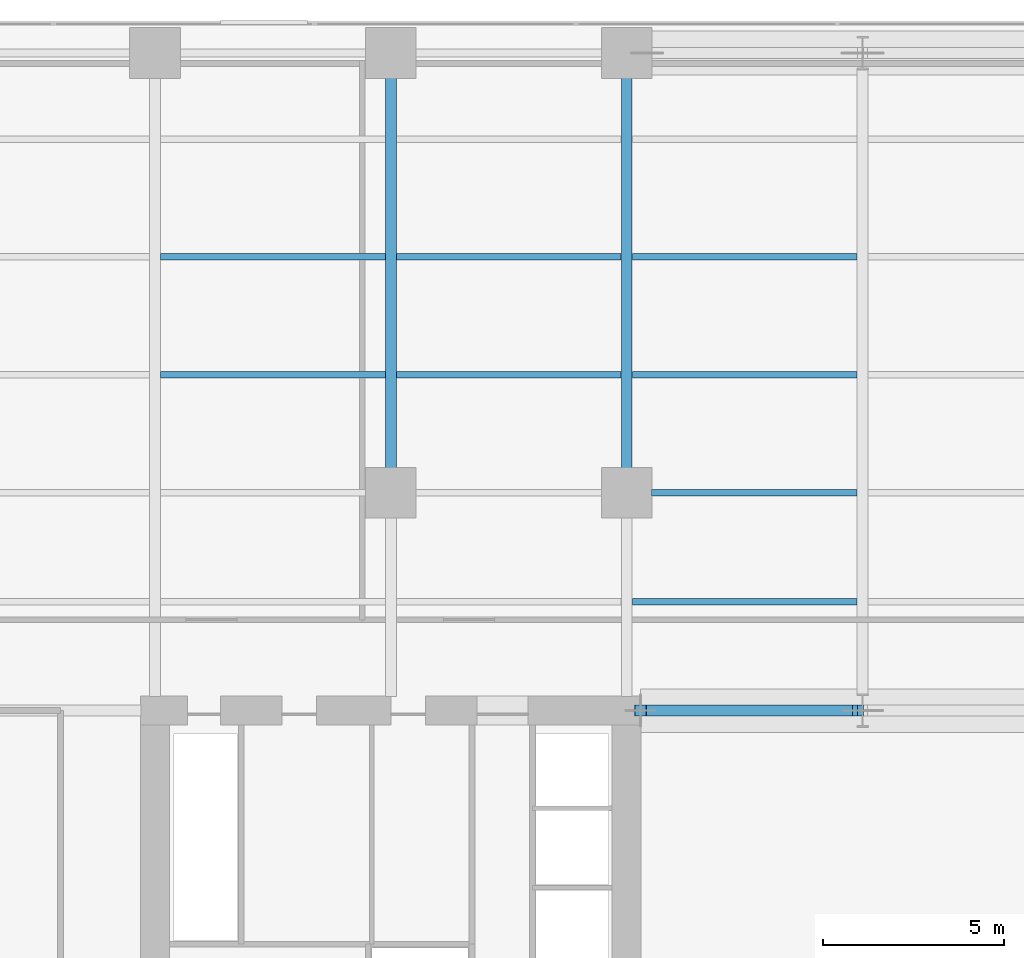
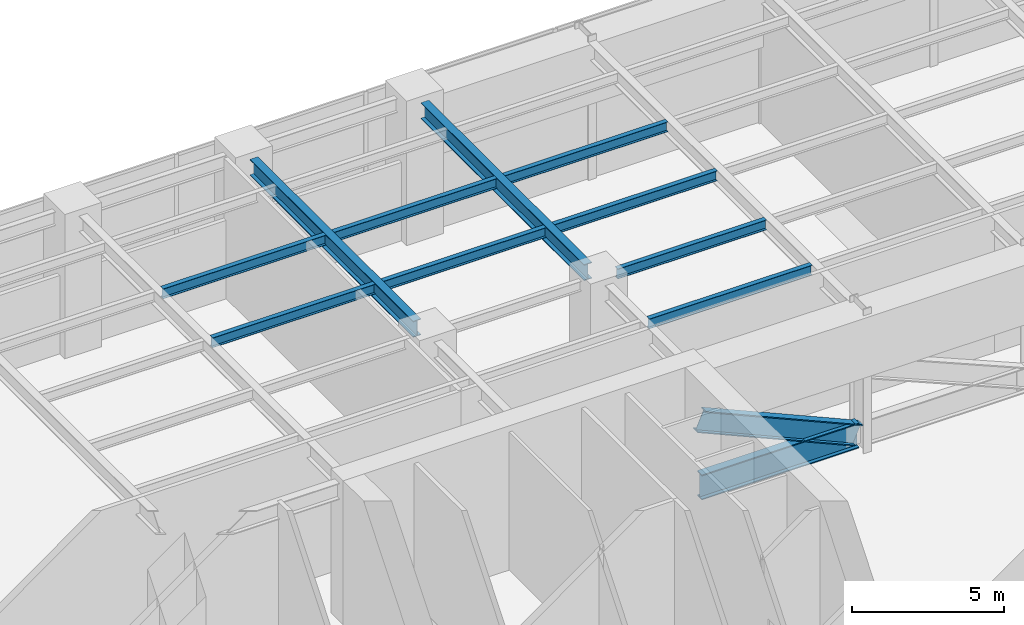
# One storey, part 10 of 25: 11 beams, 1 member.
"""IFC4 building model written with IfcOpenShell, lengths in metres."""

from ifc_helpers import new_model, si_unit, direction, frame, origin, origin_2d, place, context, subcontext, project, spatial, i_section, extrude, material, material_profile, profile_set, type_object, element, save


model = new_model("IFC4")

# Units and contexts
model_context = context("Model", 3, precision=1e-05, world=origin(), true_north=direction((0.0, 1.0)))
body_context = subcontext(model_context, "Body", "Model", "MODEL_VIEW")
ifc_project = project(units=[si_unit("LENGTHUNIT", "METRE"), si_unit("AREAUNIT", "SQUARE_METRE"), si_unit("VOLUMEUNIT", "CUBIC_METRE"), si_unit("PLANEANGLEUNIT", "RADIAN"), si_unit("MASSUNIT", "GRAM", prefix="KILO")], contexts=[model_context])

# Site, building, storey
site_placement = place(None, origin())
site = spatial("IfcSite", under=ifc_project, at=site_placement, CompositionType="ELEMENT")
building_placement = place(site_placement, origin())
building = spatial("IfcBuilding", under=site, at=building_placement, Name="Putna Gate Headquarters", CompositionType="ELEMENT")
storey_placement = place(building_placement, frame((0.0, 0.0, 22.0)))
storey = spatial("IfcBuildingStorey", under=building, at=storey_placement, Name="L04", CompositionType="ELEMENT", Elevation=22.0)

# Beams
ifc_material_1 = material(Name="Steel S355J2", Category="steel")
ifc_material_profile_1 = material_profile(ifc_material_1, i_section(OverallWidth=0.300048828125, OverallDepth=0.64990234375, WebThickness=0.01611328125, FlangeThickness=0.031005859375, at=origin_2d()), Name="Steel S355J2")
ifc_profile_set_1 = profile_set([ifc_material_profile_1], Name="Steel S355J2")
beam_type_1 = type_object("IfcBeamType", Name="BM-GIRD-Z1-HEB650", PredefinedType="USERDEFINED", material=ifc_profile_set_1)
for number, where, z_axis, x_axis, name in (
    (1, (19.5, 39.68798828125, 5.22509765625), (0.0, 1.0, 0.0), (-1.0, 0.0, 0.0), "L04 North Primary Girder X19-2"),
    (2, (26.0, 39.68798828125, 5.22509765625), (0.0, 1.0, 0.0), (-1.0, 0.0, 0.0), "L04 North Primary Girder X26-2"),
):
    element("IfcBeam", number, at=place(storey_placement, frame(where, z_axis=z_axis, x_axis=x_axis)), inside=storey, type_object=beam_type_1, Name=name, ObjectType="GIRDER", PredefinedType="USERDEFINED", context=body_context, shape_type="SweptSolid", body=[
        extrude(i_section(OverallWidth=0.300048828125, OverallDepth=0.64990234375, WebThickness=0.01611328125, FlangeThickness=0.031005859375, at=origin_2d()), origin(), (0.0, 0.0, 1.0), 10.743896484375),
    ])
ifc_material_profile_2 = material_profile(ifc_material_1, i_section(OverallWidth=0.179931640625, OverallDepth=0.39990234375, WebThickness=0.008544921875, FlangeThickness=0.013427734375, at=origin_2d()), Name="Steel S355J2")
ifc_profile_set_2 = profile_set([ifc_material_profile_2], Name="Steel S355J2")
beam_type_2 = type_object("IfcBeamType", Name="BM-SEC-Z1-IPE400", PredefinedType="BEAM", material=ifc_profile_set_2)
for number, where, z_axis, x_axis, name in (
    (3, (13.154052734375, 42.25, 5.35009765625), (1.0, 0.0, 0.0), (0.0, 1.0, 0.0), "L04 North Secondary Beam 2"),
    (4, (13.154052734375, 45.5, 5.35009765625), (1.0, 0.0, 0.0), (0.0, 1.0, 0.0), "L04 North Secondary Beam 2"),
    (5, (19.654052734375, 42.25, 5.35009765625), (1.0, 0.0, 0.0), (0.0, 1.0, 0.0), "L04 North Secondary Beam 3"),
    (6, (19.654052734375, 45.5, 5.35009765625), (1.0, 0.0, 0.0), (0.0, 1.0, 0.0), "L04 North Secondary Beam 3"),
    (7, (26.154052734375, 36.0, 5.35009765625), (1.0, 0.0, 0.0), (0.0, 1.0, 0.0), "L04 North Secondary Beam 4"),
):
    element("IfcBeam", number, at=place(storey_placement, frame(where, z_axis=z_axis, x_axis=x_axis)), inside=storey, type_object=beam_type_2, Name=name, PredefinedType="BEAM", context=body_context, shape_type="SweptSolid", body=[
        extrude(i_section(OverallWidth=0.179931640625, OverallDepth=0.39990234375, WebThickness=0.008544921875, FlangeThickness=0.013427734375, at=origin_2d()), origin(), (0.0, 0.0, 1.0), 6.19189453125),
    ])
beam_1_placement = place(storey_placement, frame((26.68798828125, 39.0, 5.35009765625), z_axis=(1.0, 0.0, 0.0), x_axis=(0.0, 1.0, 0.0)))
element("IfcBeam", 8, at=beam_1_placement, inside=storey, type_object=beam_type_2, Name="L04 North Secondary Beam 4", PredefinedType="BEAM", context=body_context, shape_type="SweptSolid", body=[
    extrude(i_section(OverallWidth=0.179931640625, OverallDepth=0.39990234375, WebThickness=0.008544921875, FlangeThickness=0.013427734375, at=origin_2d()), origin(), (0.0, 0.0, 1.0), 5.657958984375),
])
for number, where, z_axis, x_axis, name in (
    (9, (26.154052734375, 42.25, 5.35009765625), (1.0, 0.0, 0.0), (0.0, 1.0, 0.0), "L04 North Secondary Beam 4"),
    (10, (26.154052734375, 45.5, 5.35009765625), (1.0, 0.0, 0.0), (0.0, 1.0, 0.0), "L04 North Secondary Beam 4"),
):
    element("IfcBeam", number, at=place(storey_placement, frame(where, z_axis=z_axis, x_axis=x_axis)), inside=storey, type_object=beam_type_2, Name=name, PredefinedType="BEAM", context=body_context, shape_type="SweptSolid", body=[
        extrude(i_section(OverallWidth=0.179931640625, OverallDepth=0.39990234375, WebThickness=0.008544921875, FlangeThickness=0.013427734375, at=origin_2d()), origin(), (0.0, 0.0, 1.0), 6.19189453125),
    ])
ifc_material_2 = material(Name="Steel S460M", Category="steel")
ifc_material_profile_3 = material_profile(ifc_material_2, i_section(OverallWidth=0.302001953125, OverallDepth=1.008056640625, WebThickness=0.02099609375, FlangeThickness=0.0400390625, at=origin_2d()), Name="Steel S460M")
ifc_profile_set_3 = profile_set([ifc_material_profile_3], Name="Steel S460M")
beam_type_3 = type_object("IfcBeamType", Name="BM-TG-HEM1000", PredefinedType="USERDEFINED", material=ifc_profile_set_3)
beam_2_placement = place(storey_placement, frame((26.3798828125, 33.0, 0.550048828125), z_axis=(1.0, 0.0, 0.0), x_axis=(0.0, 1.0, 0.0)))
element("IfcBeam", 11, at=beam_2_placement, inside=storey, type_object=beam_type_3, Name="L04 Transfer Truss AN Bottom Chord Girder 1", ObjectType="GIRDER", PredefinedType="USERDEFINED", context=body_context, shape_type="SweptSolid", body=[
    extrude(i_section(OverallWidth=0.302001953125, OverallDepth=1.008056640625, WebThickness=0.02099609375, FlangeThickness=0.0400390625, at=origin_2d()), origin(), (0.0, 0.0, 1.0), 5.980224609375),
])

# Member
ifc_material_profile_4 = material_profile(ifc_material_2, i_section(OverallWidth=0.302978515625, OverallDepth=0.81396484375, WebThickness=0.02099609375, FlangeThickness=0.0400390625, at=origin_2d()), Name="Steel S460M")
ifc_profile_set_4 = profile_set([ifc_material_profile_4], Name="Steel S460M")
member_type = type_object("IfcMemberType", Name="MEM-TRUSS-DIAG-HEM800", PredefinedType="BRACE", material=ifc_profile_set_4)
member_placement = place(storey_placement, frame((26.3798828125, 33.0, 3.179931640625), z_axis=(0.915394915537, 0.0, -0.402557012867), x_axis=(0.0, 1.0, 0.0)))
element("IfcMember", 12, at=member_placement, inside=storey, type_object=member_type, Name="L04 Transfer Truss AN Diagonal 1", PredefinedType="BRACE", context=body_context, shape_type="SweptSolid", body=[
    extrude(i_section(OverallWidth=0.302978515625, OverallDepth=0.81396484375, WebThickness=0.02099609375, FlangeThickness=0.0400390625, at=origin_2d()), origin(), (0.0, 0.0, 1.0), 6.532958984375),
])

save(model, "model.ifc")
